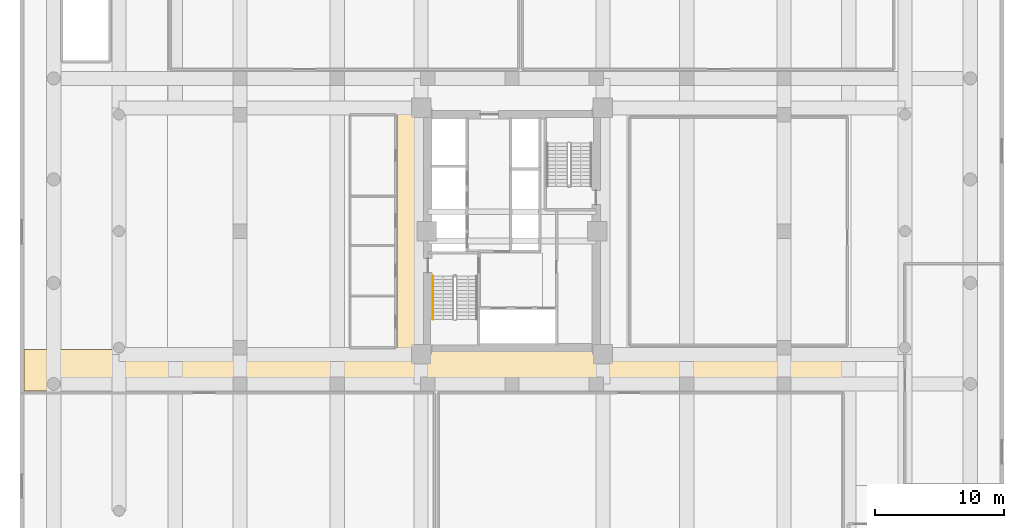
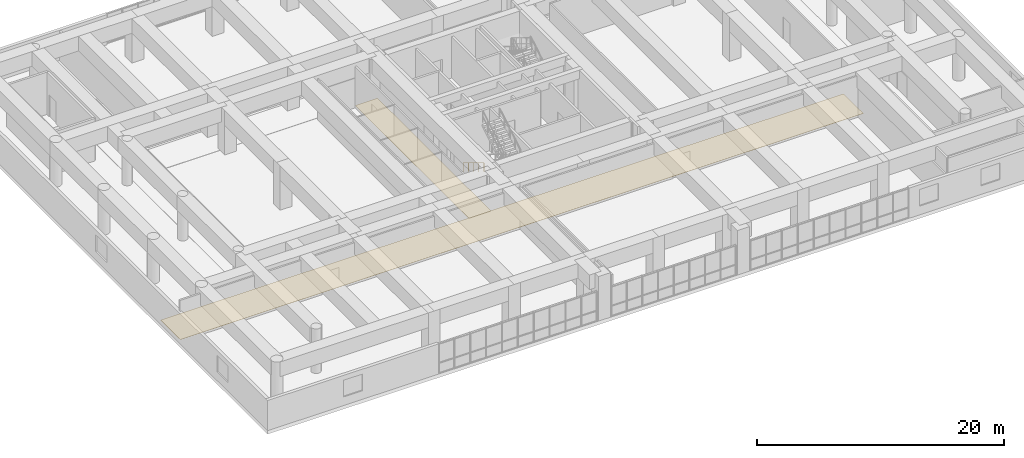
# One storey, part 24 of 28: 2 coverings, 1 railing.
"""IFC4 building model written with IfcOpenShell, lengths in metres."""

from ifc_helpers import new_model, si_unit, direction, frame, origin, origin_2d, place, context, subcontext, project, spatial, polyline, rectangle, outline, extrude, material, layer, layer_set, type_object, element, save


model = new_model("IFC4")

# Units and contexts
model_context = context("Model", 3, precision=1e-05, world=origin(), true_north=direction((0.0, 1.0)))
body_context = subcontext(model_context, "Body", "Model", "MODEL_VIEW")
ifc_project = project(units=[si_unit("LENGTHUNIT", "METRE"), si_unit("AREAUNIT", "SQUARE_METRE"), si_unit("VOLUMEUNIT", "CUBIC_METRE"), si_unit("PLANEANGLEUNIT", "RADIAN"), si_unit("MASSUNIT", "GRAM", prefix="KILO")], contexts=[model_context])

# Site, building, storey
site_placement = place(None, origin())
site = spatial("IfcSite", under=ifc_project, at=site_placement, CompositionType="ELEMENT")
building_placement = place(site_placement, origin())
building = spatial("IfcBuilding", under=site, at=building_placement, Name="Saelheon Loggia Tower", CompositionType="ELEMENT")
storey_placement = place(building_placement, frame((0.0, 0.0, 15.0)))
storey = spatial("IfcBuildingStorey", under=building, at=storey_placement, Name="L04", CompositionType="ELEMENT", Elevation=15.0)

# Coverings
ifc_material_1 = material(Name="Vitrified Porcelain Floor Tile", Category="ceramic")
ifc_layer = layer(ifc_material_1, 0.02001953125)
ifc_layer_set = layer_set([ifc_layer], Name="Vitrified Porcelain Floor Tile")
covering_type = type_object("IfcCoveringType", Name="Cov_Floor_Porcelain", PredefinedType="FLOORING", material=ifc_layer_set)
covering_1_placement = place(storey_placement, origin())
element("IfcCovering", 1, at=covering_1_placement, inside=storey, type_object=covering_type, Name="L04 Corridor Porcelain Flooring", PredefinedType="FLOORING", context=body_context, shape_type="SweptSolid", body=[
    extrude(outline(polyline([(0.300048828125, 14.64990234375), (64.179931640625, 14.64990234375), (64.179931640625, 17.85009765625), (0.300048828125, 17.85009765625), (0.300048828125, 14.64990234375)])), origin(), (0.0, 0.0, 1.0), 0.02001953125),
])
covering_2_placement = place(storey_placement, origin())
element("IfcCovering", 2, at=covering_2_placement, inside=storey, type_object=covering_type, Name="L04 Corridor Porcelain Flooring", PredefinedType="FLOORING", context=body_context, shape_type="SweptSolid", body=[
    extrude(outline(polyline([(29.10009765625, 17.800048828125), (31.179931640625, 17.800048828125), (31.179931640625, 36.199951171875), (29.10009765625, 36.199951171875), (29.10009765625, 17.800048828125)])), origin(), (0.0, 0.0, 1.0), 0.02001953125),
])

# Railing
ifc_material_2 = material(Name="Stainless Steel 304 Tubular Handrail", Category="steel")
railing_type = type_object("IfcRailingType", Name="Handrail_Stair_RL_HR1", PredefinedType="HANDRAIL", material=ifc_material_2)
railing_placement = place(storey_placement, frame((31.89990234375, 23.550048828125, 0.169189453125)))
element("IfcRailing", 3, at=railing_placement, inside=storey, type_object=railing_type, Name="L04 ST1 stair handrail 1", PredefinedType="HANDRAIL", context=body_context, shape_type="SweptSolid", body=[
    extrude(rectangle(XDim=0.048095703125, YDim=0.048095703125, at=origin_2d()), frame((0.0, -0.028564453125, 0.89306640625), z_axis=(0.0, -0.855836976705, 0.517245656632), x_axis=(1.0, 0.0, 0.0)), (0.0, 0.0, 1.0), 0.9150390625),
    extrude(rectangle(XDim=0.048095703125, YDim=0.048095703125, at=origin_2d()), frame((0.0, -0.868408203125, 1.400634765625), z_axis=(0.0, -0.855836976705, 0.517245656632), x_axis=(1.0, 0.0, 0.0)), (0.0, 0.0, 1.0), 0.9150390625),
    extrude(rectangle(XDim=0.048095703125, YDim=0.048095703125, at=origin_2d()), frame((0.0, -1.70849609375, 1.908447265625), z_axis=(0.0, -0.855836976705, 0.517245656632), x_axis=(1.0, 0.0, 0.0)), (0.0, 0.0, 1.0), 0.9150390625),
    extrude(rectangle(XDim=0.048095703125, YDim=0.048095703125, at=origin_2d()), frame((0.0, -2.548583984375, 2.416015625), z_axis=(0.0, -0.855836976705, 0.517245656632), x_axis=(1.0, 0.0, 0.0)), (0.0, 0.0, 1.0), 0.9150390625),
    extrude(rectangle(XDim=0.0419921875, YDim=0.0419921875, at=origin_2d()), origin(), (0.0, 0.0, 1.0), 0.847900390625),
    extrude(rectangle(XDim=0.0419921875, YDim=0.0419921875, at=origin_2d()), frame((0.0, -0.840087890625, 0.5078125)), (0.0, 0.0, 1.0), 0.847900390625),
    extrude(rectangle(XDim=0.0419921875, YDim=0.0419921875, at=origin_2d()), frame((0.0, -1.68017578125, 1.015380859375)), (0.0, 0.0, 1.0), 0.847900390625),
    extrude(rectangle(XDim=0.0419921875, YDim=0.0419921875, at=origin_2d()), frame((0.0, -2.52001953125, 1.52294921875)), (0.0, 0.0, 1.0), 0.847900390625),
    extrude(rectangle(XDim=0.0419921875, YDim=0.0419921875, at=origin_2d()), frame((0.0, -3.360107421875, 2.03076171875)), (0.0, 0.0, 1.0), 0.847900390625),
])

save(model, "model.ifc")
